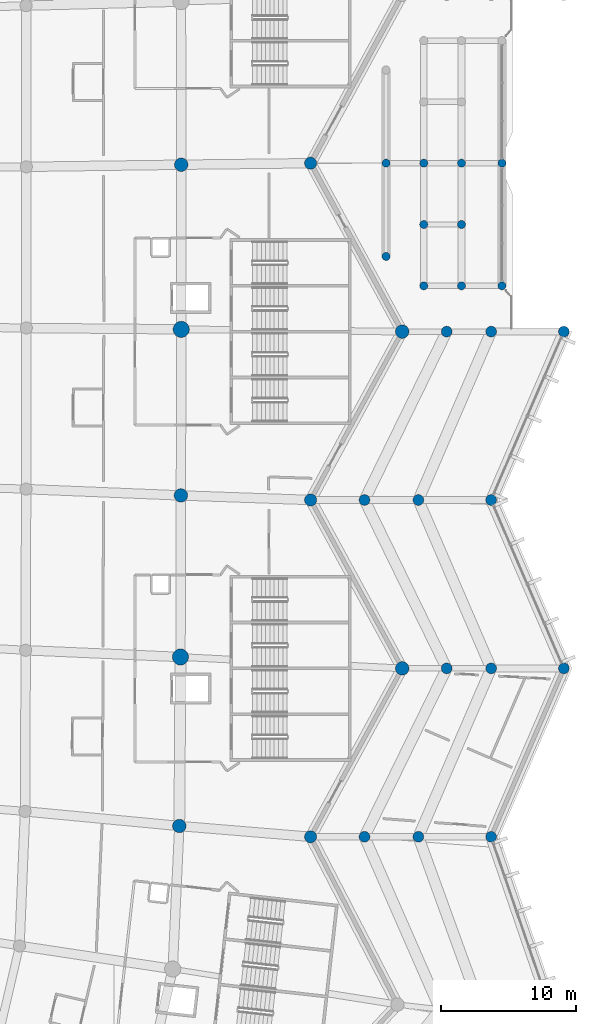
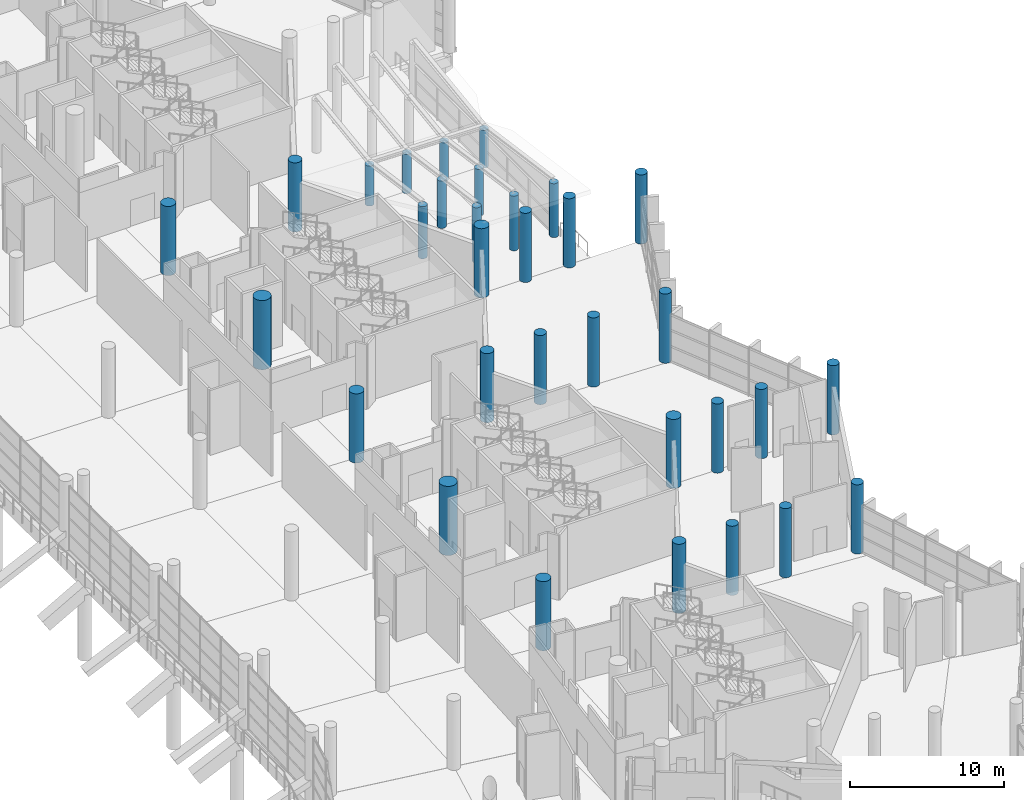
# One storey, part 4 of 271: 32 columns.
"""IFC4 building model written with IfcOpenShell, lengths in metres."""

from ifc_helpers import new_model, si_unit, direction, frame, origin, origin_2d, place, context, subcontext, project, spatial, circle, extrude, material, material_profile, profile_set, type_object, element, save


model = new_model("IFC4")

# Units and contexts
model_context = context("Model", 3, precision=1e-05, world=origin(), true_north=direction((0.0, 1.0)))
body_context = subcontext(model_context, "Body", "Model", "MODEL_VIEW")
ifc_project = project(units=[si_unit("LENGTHUNIT", "METRE"), si_unit("AREAUNIT", "SQUARE_METRE"), si_unit("VOLUMEUNIT", "CUBIC_METRE"), si_unit("PLANEANGLEUNIT", "RADIAN"), si_unit("MASSUNIT", "GRAM", prefix="KILO")], contexts=[model_context])

# Site, building, storey
site_placement = place(None, origin())
site = spatial("IfcSite", under=ifc_project, at=site_placement, CompositionType="ELEMENT")
building_placement = place(site_placement, origin())
building = spatial("IfcBuilding", under=site, at=building_placement, Name="Meseta Stadium", CompositionType="ELEMENT")
storey_placement = place(building_placement, frame((0.0, 0.0, 6.5)))
storey = spatial("IfcBuildingStorey", under=building, at=storey_placement, Name="L01", CompositionType="ELEMENT", Elevation=6.5)

# Columns
ifc_material_1 = material(Name="Concrete C40/50", Category="concrete")
ifc_material_profile_1 = material_profile(ifc_material_1, circle(Radius=0.300048828125, at=origin_2d()), Name="RC D600")
ifc_profile_set_1 = profile_set([ifc_material_profile_1], Name="Concrete C40/50")
column_type_1 = type_object("IfcColumnType", Name="Gate column D600", PredefinedType="COLUMN", material=ifc_profile_set_1)
column_1_placement = place(storey_placement, frame((100.199951171875, -0.66748046875, 0.0), z_axis=(0.0, 0.0, 1.0), x_axis=(1.0, 0.0, 0.0)))
element("IfcColumn", 1, at=column_1_placement, inside=storey, type_object=column_type_1, Name="Gate 1 column L01", PredefinedType="COLUMN", context=body_context, shape_type="SweptSolid", body=[
    extrude(circle(Radius=0.300048828125, at=origin_2d()), origin(), (0.0, 0.0, 1.0), 4.146484375),
])
column_2_placement = place(storey_placement, frame((100.199951171875, 6.25, 0.0), z_axis=(0.0, 0.0, 1.0), x_axis=(1.0, 0.0, 0.0)))
element("IfcColumn", 2, at=column_2_placement, inside=storey, type_object=column_type_1, Name="Gate 1 column L01", PredefinedType="COLUMN", context=body_context, shape_type="SweptSolid", body=[
    extrude(circle(Radius=0.300048828125, at=origin_2d()), origin(), (0.0, 0.0, 1.0), 3.177978515625),
])
column_3_placement = place(storey_placement, frame((103.0, -2.85009765625, 0.0), z_axis=(0.0, 0.0, 1.0), x_axis=(1.0, 0.0, 0.0)))
element("IfcColumn", 3, at=column_3_placement, inside=storey, type_object=column_type_1, Name="Gate 1 column L01", PredefinedType="COLUMN", context=body_context, shape_type="SweptSolid", body=[
    extrude(circle(Radius=0.300048828125, at=origin_2d()), origin(), (0.0, 0.0, 1.0), 4.39599609375),
])
column_4_placement = place(storey_placement, frame((103.0, 1.699951171875, 0.0), z_axis=(0.0, 0.0, 1.0), x_axis=(1.0, 0.0, 0.0)))
element("IfcColumn", 4, at=column_4_placement, inside=storey, type_object=column_type_1, Name="Gate 1 column L01", PredefinedType="COLUMN", context=body_context, shape_type="SweptSolid", body=[
    extrude(circle(Radius=0.300048828125, at=origin_2d()), origin(), (0.0, 0.0, 1.0), 3.759033203125),
])
column_5_placement = place(storey_placement, frame((103.0, 6.25, 0.0), z_axis=(0.0, 0.0, 1.0), x_axis=(1.0, 0.0, 0.0)))
element("IfcColumn", 5, at=column_5_placement, inside=storey, type_object=column_type_1, Name="Gate 1 column L01", PredefinedType="COLUMN", context=body_context, shape_type="SweptSolid", body=[
    extrude(circle(Radius=0.300048828125, at=origin_2d()), origin(), (0.0, 0.0, 1.0), 3.1220703125),
])
column_6_placement = place(storey_placement, frame((105.800048828125, -2.85009765625, 0.0), z_axis=(0.0, 0.0, 1.0), x_axis=(1.0, 0.0, 0.0)))
element("IfcColumn", 6, at=column_6_placement, inside=storey, type_object=column_type_1, Name="Gate 1 column L01", PredefinedType="COLUMN", context=body_context, shape_type="SweptSolid", body=[
    extrude(circle(Radius=0.300048828125, at=origin_2d()), origin(), (0.0, 0.0, 1.0), 4.340087890625),
])
column_7_placement = place(storey_placement, frame((105.800048828125, 1.699951171875, 0.0), z_axis=(0.0, 0.0, 1.0), x_axis=(1.0, 0.0, 0.0)))
element("IfcColumn", 7, at=column_7_placement, inside=storey, type_object=column_type_1, Name="Gate 1 column L01", PredefinedType="COLUMN", context=body_context, shape_type="SweptSolid", body=[
    extrude(circle(Radius=0.300048828125, at=origin_2d()), origin(), (0.0, 0.0, 1.0), 3.702880859375),
])
column_8_placement = place(storey_placement, frame((105.800048828125, 6.25, 0.0), z_axis=(0.0, 0.0, 1.0), x_axis=(1.0, 0.0, 0.0)))
element("IfcColumn", 8, at=column_8_placement, inside=storey, type_object=column_type_1, Name="Gate 1 column L01", PredefinedType="COLUMN", context=body_context, shape_type="SweptSolid", body=[
    extrude(circle(Radius=0.300048828125, at=origin_2d()), origin(), (0.0, 0.0, 1.0), 3.06591796875),
])
column_9_placement = place(storey_placement, frame((108.800048828125, -2.85009765625, 0.0), z_axis=(0.0, 0.0, 1.0), x_axis=(1.0, 0.0, 0.0)))
element("IfcColumn", 9, at=column_9_placement, inside=storey, type_object=column_type_1, Name="Gate 1 column L01", PredefinedType="COLUMN", context=body_context, shape_type="SweptSolid", body=[
    extrude(circle(Radius=0.300048828125, at=origin_2d()), origin(), (0.0, 0.0, 1.0), 4.280029296875),
])
column_10_placement = place(storey_placement, frame((108.800048828125, 6.25, 0.0), z_axis=(0.0, 0.0, 1.0), x_axis=(1.0, 0.0, 0.0)))
element("IfcColumn", 10, at=column_10_placement, inside=storey, type_object=column_type_1, Name="Gate 1 column L01", PredefinedType="COLUMN", context=body_context, shape_type="SweptSolid", body=[
    extrude(circle(Radius=0.300048828125, at=origin_2d()), origin(), (0.0, 0.0, 1.0), 3.006103515625),
])
ifc_material_2 = material(Name="Concrete C40/50", Category="concrete")
ifc_material_profile_2 = material_profile(ifc_material_2, circle(Radius=0.5, at=origin_2d()), Name="RC D1000")
ifc_profile_set_2 = profile_set([ifc_material_profile_2], Name="Concrete C40/50")
column_type_2 = type_object("IfcColumnType", Name="RC column D1000", PredefinedType="COLUMN", material=ifc_profile_set_2)
for number, where, z_axis, x_axis, name in (
    (11, (84.85400390625, -42.948486328125, 0.0), (0.0, 0.0, 1.0), (1.0, 0.0, 0.0), "Column C10 L01 frame 1 line P"),
    (12, (101.39990234375, -31.25, 0.0), (0.0, 0.0, 1.0), (1.0, 0.0, 0.0), "Column C10 L01 frame 2 line R"),
    (13, (84.97314453125, -18.41064453125, 0.0), (0.0, 0.0, 1.0), (1.0, 0.0, 0.0), "Column C10 L01 frame 3 line P"),
    (14, (101.39990234375, -6.25, 0.0), (0.0, 0.0, 1.0), (1.0, 0.0, 0.0), "Column C10 L01 frame 4 line R"),
    (15, (84.9970703125, 6.13720703125, 0.0), (0.0, 0.0, 1.0), (1.0, 0.0, 0.0), "Column C10 L01 frame 5 line P"),
):
    element("IfcColumn", number, at=place(storey_placement, frame(where, z_axis=z_axis, x_axis=x_axis)), inside=storey, type_object=column_type_2, Name=name, PredefinedType="COLUMN", context=body_context, shape_type="SweptSolid", body=[
        extrude(circle(Radius=0.5, at=origin_2d()), origin(), (0.0, 0.0, 1.0), 5.5),
    ])
ifc_material_3 = material(Name="Concrete C40/50", Category="concrete")
ifc_material_profile_3 = material_profile(ifc_material_3, circle(Radius=0.60009765625, at=origin_2d()), Name="RC D1200")
ifc_profile_set_3 = profile_set([ifc_material_profile_3], Name="Concrete C40/50")
column_type_3 = type_object("IfcColumnType", Name="RC column D1200", PredefinedType="COLUMN", material=ifc_profile_set_3)
for number, where, z_axis, x_axis, name in (
    (16, (84.940673828125, -30.404052734375, 0.0), (0.0, 0.0, 1.0), (1.0, 0.0, 0.0), "Column C12 L01 frame 2 line P"),
    (17, (84.99755859375, -6.081298828125, 0.0), (0.0, 0.0, 1.0), (1.0, 0.0, 0.0), "Column C12 L01 frame 4 line P"),
):
    element("IfcColumn", number, at=place(storey_placement, frame(where, z_axis=z_axis, x_axis=x_axis)), inside=storey, type_object=column_type_3, Name=name, PredefinedType="COLUMN", context=body_context, shape_type="SweptSolid", body=[
        extrude(circle(Radius=0.60009765625, at=origin_2d()), origin(), (0.0, 0.0, 1.0), 5.5),
    ])
ifc_material_4 = material(Name="Concrete C40/50", Category="concrete")
ifc_material_profile_4 = material_profile(ifc_material_4, circle(Radius=0.39990234375, at=origin_2d()), Name="RC D800")
ifc_profile_set_4 = profile_set([ifc_material_profile_4], Name="Concrete C40/50")
column_type_4 = type_object("IfcColumnType", Name="RC column D800", PredefinedType="COLUMN", material=ifc_profile_set_4)
for number, where, z_axis, x_axis, name in (
    (18, (98.60009765625, -43.75, 0.0), (0.0, 0.0, 1.0), (1.0, 0.0, 0.0), "Ring column C8 L01 frame 1 line M"),
    (19, (102.60009765625, -43.75, 0.0), (0.0, 0.0, 1.0), (1.0, 0.0, 0.0), "Ring column C8 L01 frame 1 line Q"),
    (20, (108.0, -43.75, 0.0), (0.0, 0.0, 1.0), (1.0, 0.0, 0.0), "Ring column C8 L01 frame 1 line O"),
    (21, (104.699951171875, -31.25, 0.0), (0.0, 0.0, 1.0), (1.0, 0.0, 0.0), "Ring column C8 L01 frame 2 line M"),
    (22, (108.0, -31.25, 0.0), (0.0, 0.0, 1.0), (1.0, 0.0, 0.0), "Ring column C8 L01 frame 2 line Q"),
    (23, (113.39990234375, -31.25, 0.0), (0.0, 0.0, 1.0), (1.0, 0.0, 0.0), "Ring column C8 L01 frame 2 line O"),
    (24, (98.60009765625, -18.75, 0.0), (0.0, 0.0, 1.0), (1.0, 0.0, 0.0), "Ring column C8 L01 frame 3 line M"),
    (25, (102.60009765625, -18.75, 0.0), (0.0, 0.0, 1.0), (1.0, 0.0, 0.0), "Ring column C8 L01 frame 3 line Q"),
    (26, (108.0, -18.75, 0.0), (0.0, 0.0, 1.0), (1.0, 0.0, 0.0), "Ring column C8 L01 frame 3 line O"),
    (27, (104.699951171875, -6.25, 0.0), (0.0, 0.0, 1.0), (1.0, 0.0, 0.0), "Ring column C8 L01 frame 4 line M"),
    (28, (108.0, -6.25, 0.0), (0.0, 0.0, 1.0), (1.0, 0.0, 0.0), "Ring column C8 L01 frame 4 line Q"),
    (29, (113.39990234375, -6.25, 0.0), (0.0, 0.0, 1.0), (1.0, 0.0, 0.0), "Ring column C8 L01 frame 4 line O"),
):
    element("IfcColumn", number, at=place(storey_placement, frame(where, z_axis=z_axis, x_axis=x_axis)), inside=storey, type_object=column_type_4, Name=name, PredefinedType="COLUMN", context=body_context, shape_type="SweptSolid", body=[
        extrude(circle(Radius=0.39990234375, at=origin_2d()), origin(), (0.0, 0.0, 1.0), 5.5),
    ])
ifc_material_5 = material(Name="Concrete C40/50", Category="concrete")
ifc_material_profile_5 = material_profile(ifc_material_5, circle(Radius=0.449951171875, at=origin_2d()), Name="RC D900")
ifc_profile_set_5 = profile_set([ifc_material_profile_5], Name="Concrete C40/50")
column_type_5 = type_object("IfcColumnType", Name="RC column D900", PredefinedType="COLUMN", material=ifc_profile_set_5)
for number, where, z_axis, x_axis, name in (
    (30, (94.60009765625, -43.75, 0.0), (0.0, 0.0, 1.0), (1.0, 0.0, 0.0), "Column C9 L01 frame 1 line R"),
    (31, (94.60009765625, -18.75, 0.0), (0.0, 0.0, 1.0), (1.0, 0.0, 0.0), "Column C9 L01 frame 3 line R"),
    (32, (94.60009765625, 6.25, 0.0), (0.0, 0.0, 1.0), (1.0, 0.0, 0.0), "Column C9 L01 frame 5 line R"),
):
    element("IfcColumn", number, at=place(storey_placement, frame(where, z_axis=z_axis, x_axis=x_axis)), inside=storey, type_object=column_type_5, Name=name, PredefinedType="COLUMN", context=body_context, shape_type="SweptSolid", body=[
        extrude(circle(Radius=0.449951171875, at=origin_2d()), origin(), (0.0, 0.0, 1.0), 5.5),
    ])

save(model, "model.ifc")
